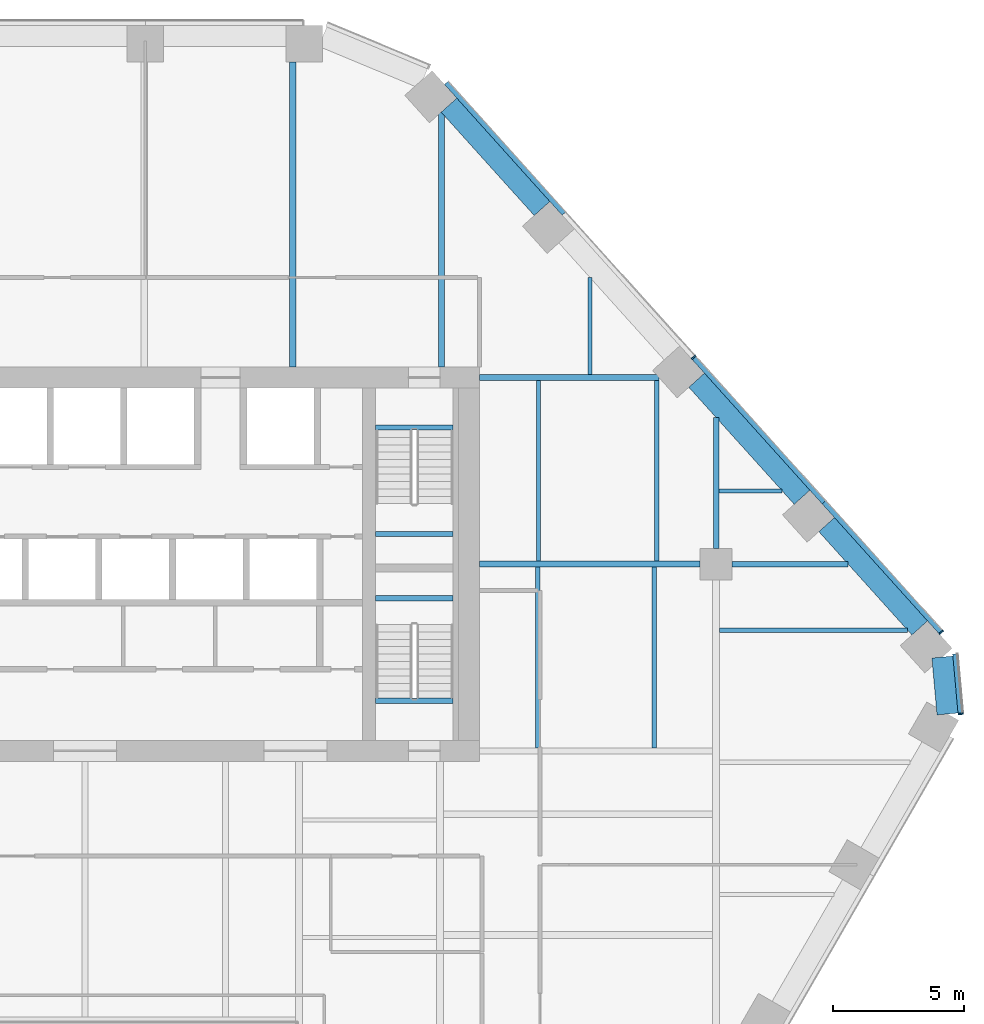
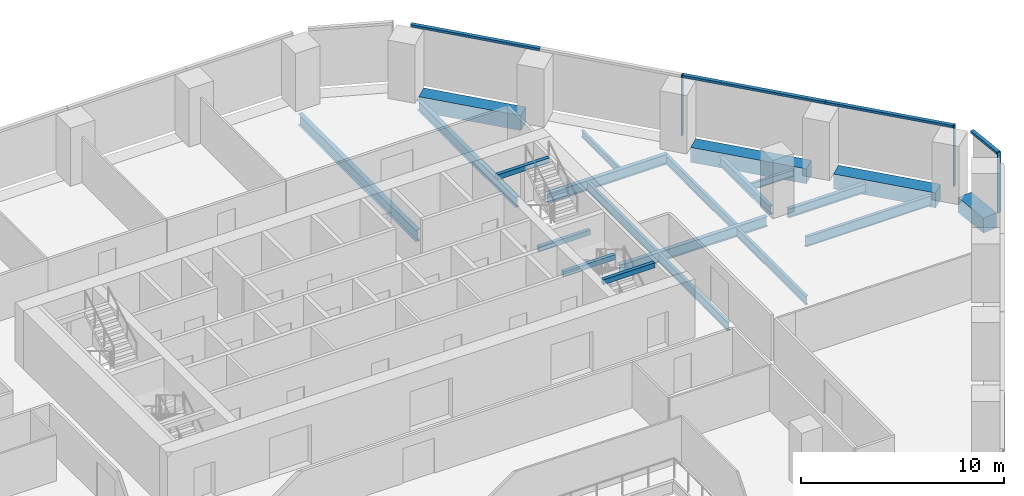
# One storey, part 8 of 16: 21 beams, 7 members, 2 elements without a shape of their own.
"""IFC4 building model written with IfcOpenShell, lengths in metres."""

from ifc_helpers import new_model, si_unit, direction, frame, origin, origin_2d, place, context, subcontext, project, spatial, rectangle, i_section, extrude, material, layer, layer_set, material_profile, profile_set, type_object, element, aggregate, save


model = new_model("IFC4")

# Units and contexts
model_context = context("Model", 3, precision=1e-05, world=origin(), true_north=direction((0.0, 1.0)))
body_context = subcontext(model_context, "Body", "Model", "MODEL_VIEW")
ifc_project = project(units=[si_unit("LENGTHUNIT", "METRE"), si_unit("AREAUNIT", "SQUARE_METRE"), si_unit("VOLUMEUNIT", "CUBIC_METRE"), si_unit("PLANEANGLEUNIT", "RADIAN"), si_unit("MASSUNIT", "GRAM", prefix="KILO")], contexts=[model_context])

# Site, building, storey
site_placement = place(None, origin())
site = spatial("IfcSite", under=ifc_project, at=site_placement, CompositionType="ELEMENT")
building_placement = place(site_placement, origin())
building = spatial("IfcBuilding", under=site, at=building_placement, Name="Isthmus Gate Tower", CompositionType="ELEMENT")
storey_placement = place(building_placement, frame((0.0, 0.0, 151.699951171875)))
storey = spatial("IfcBuildingStorey", under=building, at=storey_placement, Name="L37", CompositionType="ELEMENT", Elevation=151.699951171875)

# Curtain wall, member
ifc_material_1 = material(Name="Aluminium, pale champagne anodised", Category="aluminium")
ifc_layer = layer(ifc_material_1, 0.199951171875)
ifc_layer_set = layer_set([ifc_layer], Name="CW-1 UNITISED CURTAIN WALL 200 DEEP")
curtain_wall_type = type_object("IfcCurtainWallType", Name="CW-1 UNITISED CURTAIN WALL 200 DEEP", PredefinedType="NOTDEFINED", material=ifc_layer_set)
curtain_wall_1_placement = place(storey_placement, origin())
curtain_wall_1 = element("IfcCurtainWall", 1, at=curtain_wall_1_placement, inside=storey, type_object=curtain_wall_type, Name="CW-1 SE-NE L37", PredefinedType="NOTDEFINED")
ifc_material_2 = material(Name="Aluminium, pale champagne anodised", Category="aluminium")
ifc_material_profile_1 = material_profile(ifc_material_2, rectangle(XDim=0.06005859375, YDim=0.199951171875, at=origin_2d()), Name="60x200")
ifc_profile_set_1 = profile_set([ifc_material_profile_1], Name="Aluminium, pale champagne anodised")
member_type_1 = type_object("IfcMemberType", Name="CW-1 MULLION 60 X 200", PredefinedType="MULLION", material=ifc_profile_set_1)
member_1_placement = place(storey_placement, frame((33.307861328125, 1.804443359375, 0.0), z_axis=(0.0, 0.0, 1.0), x_axis=(-0.089396669717, 0.995996102123, 0.0)))
member_1 = element("IfcMember", 2, at=member_1_placement, type_object=member_type_1, Name="CW-1 mullion", PredefinedType="MULLION", context=body_context, shape_type="SweptSolid", body=[
    extrude(rectangle(XDim=0.06005859375, YDim=0.199951171875, at=origin_2d()), origin(), (0.0, 0.0, 1.0), 3.650146484375),
])

# Curtain wall, members
curtain_wall_2_placement = place(storey_placement, origin())
curtain_wall_2 = element("IfcCurtainWall", 3, at=curtain_wall_2_placement, inside=storey, type_object=curtain_wall_type, Name="CW-1 NE L37", PredefinedType="NOTDEFINED")
member_2_placement = place(storey_placement, frame((32.5693359375, 4.908447265625, 0.0), z_axis=(0.0, 0.0, 1.0), x_axis=(-0.669130606359, 0.743144825477, 0.0)))
member_2 = element("IfcMember", 4, at=member_2_placement, type_object=member_type_1, Name="CW-1 mullion", PredefinedType="MULLION", context=body_context, shape_type="SweptSolid", body=[
    extrude(rectangle(XDim=0.06005859375, YDim=0.199951171875, at=origin_2d()), origin(), (0.0, 0.0, 1.0), 3.650146484375),
])
member_3_placement = place(storey_placement, frame((23.14697265625, 15.373046875, 0.0), z_axis=(0.0, 0.0, 1.0), x_axis=(-0.669130606359, 0.743144825477, 0.0)))
member_3 = element("IfcMember", 5, at=member_3_placement, type_object=member_type_1, Name="CW-1 mullion", PredefinedType="MULLION", context=body_context, shape_type="SweptSolid", body=[
    extrude(rectangle(XDim=0.06005859375, YDim=0.199951171875, at=origin_2d()), origin(), (0.0, 0.0, 1.0), 3.650146484375),
])

# Member
ifc_material_3 = material(Name="Aluminium, pale champagne anodised", Category="aluminium")
ifc_material_profile_2 = material_profile(ifc_material_3, rectangle(XDim=0.199951171875, YDim=0.139892578125, at=origin_2d()), Name="200x140")
ifc_profile_set_2 = profile_set([ifc_material_profile_2], Name="Aluminium, pale champagne anodised")
member_type_2 = type_object("IfcMemberType", Name="CW-1 TRANSOM 200 X 140", PredefinedType="USERDEFINED", material=ifc_profile_set_2)
member_4_placement = place(storey_placement, frame((33.30517578125, 1.83447265625, 3.580078125), z_axis=(-0.089395362867, 0.995996219419, 0.0), x_axis=(-0.995996219419, -0.089395362867, 0.0)))
member_4 = element("IfcMember", 6, at=member_4_placement, type_object=member_type_2, Name="CW-1 transom", ObjectType="TRANSOM", PredefinedType="USERDEFINED", context=body_context, shape_type="SweptSolid", body=[
    extrude(rectangle(XDim=0.199951171875, YDim=0.139892578125, at=origin_2d()), origin(), (0.0, 0.0, 1.0), 2.258544921875),
])

aggregate(curtain_wall_1, [member_1, member_4])

member_5_placement = place(storey_placement, frame((32.54931640625, 4.930908203125, 3.580078125), z_axis=(-0.669153891975, 0.743123858354, 0.0), x_axis=(-0.743123858354, -0.669153891975, 0.0)))
member_5 = element("IfcMember", 7, at=member_5_placement, type_object=member_type_2, Name="CW-1 transom", ObjectType="TRANSOM", PredefinedType="USERDEFINED", context=body_context, shape_type="SweptSolid", body=[
    extrude(rectangle(XDim=0.199951171875, YDim=0.139892578125, at=origin_2d()), origin(), (0.0, 0.0, 1.0), 6.630859375),
])

member_6_placement = place(storey_placement, frame((28.1123046875, 9.8583984375, 3.580078125), z_axis=(-0.669123495435, 0.74315122812, 0.0), x_axis=(-0.74315122812, -0.669123495435, 0.0)))
member_6 = element("IfcMember", 8, at=member_6_placement, type_object=member_type_2, Name="CW-1 transom", ObjectType="TRANSOM", PredefinedType="USERDEFINED", context=body_context, shape_type="SweptSolid", body=[
    extrude(rectangle(XDim=0.199951171875, YDim=0.139892578125, at=origin_2d()), origin(), (0.0, 0.0, 1.0), 7.390625),
])

member_7_placement = place(storey_placement, frame((18.221435546875, 20.84326171875, 3.580078125), z_axis=(-0.669117935274, 0.743156234378, 0.0), x_axis=(-0.743156234378, -0.669117935274, 0.0)))
member_7 = element("IfcMember", 9, at=member_7_placement, type_object=member_type_2, Name="CW-1 transom", ObjectType="TRANSOM", PredefinedType="USERDEFINED", context=body_context, shape_type="SweptSolid", body=[
    extrude(rectangle(XDim=0.199951171875, YDim=0.139892578125, at=origin_2d()), origin(), (0.0, 0.0, 1.0), 6.690673828125),
])

aggregate(curtain_wall_2, [member_2, member_5, member_6, member_3, member_7])

# Beams
ifc_material_4 = material(Name="Concrete f'c 60 MPa", Category="concrete")
ifc_material_profile_3 = material_profile(ifc_material_4, rectangle(XDim=0.800048828125, YDim=0.89990234375, at=origin_2d()), Name="RC 800X900")
ifc_profile_set_3 = profile_set([ifc_material_profile_3], Name="Concrete f'c 60 MPa")
beam_type_1 = type_object("IfcBeamType", Name="RC SPANDREL 800 X 900", PredefinedType="SPANDREL", material=ifc_profile_set_3)
beam_1_placement = place(storey_placement, frame((13.84130859375, 24.960693359375, -0.449951171875), z_axis=(0.669153370522, -0.743124327901, 0.0), x_axis=(0.743124327901, 0.669153370522, 0.0)))
element("IfcBeam", 10, at=beam_1_placement, inside=storey, type_object=beam_type_1, Name="str-spandrel-L37-01", PredefinedType="SPANDREL", context=body_context, shape_type="SweptSolid", body=[
    extrude(rectangle(XDim=0.800048828125, YDim=0.89990234375, at=origin_2d()), origin(), (0.0, 0.0, 1.0), 5.290771484375),
])
beam_2_placement = place(storey_placement, frame((23.263671875, 14.49609375, -0.449951171875), z_axis=(0.669156088603, -0.74312188037, 0.0), x_axis=(0.74312188037, 0.669156088603, 0.0)))
element("IfcBeam", 11, at=beam_2_placement, inside=storey, type_object=beam_type_1, Name="str-spandrel-L37-03", PredefinedType="SPANDREL", context=body_context, shape_type="SweptSolid", body=[
    extrude(rectangle(XDim=0.800048828125, YDim=0.89990234375, at=origin_2d()), origin(), (0.0, 0.0, 1.0), 5.99072265625),
])
beam_3_placement = place(storey_placement, frame((28.209228515625, 9.003662109375, -0.449951171875), z_axis=(0.669130424574, -0.743144989157, 0.0), x_axis=(0.743144989157, 0.669130424574, 0.0)))
element("IfcBeam", 12, at=beam_3_placement, inside=storey, type_object=beam_type_1, Name="str-spandrel-L37-04", PredefinedType="SPANDREL", context=body_context, shape_type="SweptSolid", body=[
    extrude(rectangle(XDim=0.800048828125, YDim=0.89990234375, at=origin_2d()), origin(), (0.0, 0.0, 1.0), 5.290771484375),
])
beam_4_placement = place(storey_placement, frame((32.61181640625, 3.964599609375, -0.449951171875), z_axis=(0.089421511639, -0.995993872098, 0.0), x_axis=(0.995993872098, 0.089421511639, 0.0)))
element("IfcBeam", 13, at=beam_4_placement, inside=storey, type_object=beam_type_1, Name="str-spandrel-L37-05", PredefinedType="SPANDREL", context=body_context, shape_type="SweptSolid", body=[
    extrude(rectangle(XDim=0.800048828125, YDim=0.89990234375, at=origin_2d()), origin(), (0.0, 0.0, 1.0), 2.17333984375),
])
ifc_material_5 = material(Name="Concrete f'c 40 MPa", Category="concrete")
ifc_material_profile_4 = material_profile(ifc_material_5, rectangle(XDim=0.199951171875, YDim=0.300048828125, at=origin_2d()), Name="STAIR LANDING BEAM RC 200 X 300")
ifc_profile_set_4 = profile_set([ifc_material_profile_4], Name="Concrete f'c 40 MPa")
beam_type_2 = type_object("IfcBeamType", Name="STAIR LANDING BEAM RC 200 X 300", PredefinedType="BEAM", material=ifc_profile_set_4)
for number, where, z_axis, x_axis, name in (
    (14, (11.050048828125, 8.64990234375, 1.47509765625), (1.0, 0.0, 0.0), (0.0, 1.0, 0.0), "L37 ST2 landing beam 1"),
    (15, (11.050048828125, 12.7001953125, 3.35009765625), (1.0, 0.0, 0.0), (0.0, 1.0, 0.0), "L37 ST2 floor-edge seat beam"),
    (16, (11.050048828125, 6.199951171875, 1.47509765625), (1.0, 0.0, 0.0), (0.0, 1.0, 0.0), "L37 ST8 landing beam 1"),
    (17, (11.050048828125, 2.2998046875, 3.35009765625), (1.0, 0.0, 0.0), (0.0, 1.0, 0.0), "L37 ST8 floor-edge seat beam"),
):
    element("IfcBeam", number, at=place(storey_placement, frame(where, z_axis=z_axis, x_axis=x_axis)), inside=storey, type_object=beam_type_2, Name=name, PredefinedType="BEAM", context=body_context, shape_type="SweptSolid", body=[
        extrude(rectangle(XDim=0.199951171875, YDim=0.300048828125, at=origin_2d()), origin(), (0.0, 0.0, 1.0), 2.949951171875),
    ])
ifc_material_6 = material(Name="Structural steel ASTM A992 Gr 50", Category="steel")
ifc_material_profile_5 = material_profile(ifc_material_6, i_section(OverallWidth=0.1396484375, OverallDepth=0.4033203125, WebThickness=0.00634765625, FlangeThickness=0.010986328125, at=origin_2d()), Name="W16X31")
ifc_profile_set_5 = profile_set([ifc_material_profile_5], Name="Structural steel ASTM A992 Gr 50")
beam_type_3 = type_object("IfcBeamType", Name="STEEL FLOOR BEAM W16X31", PredefinedType="JOIST", material=ifc_profile_set_5)
beam_5_placement = place(storey_placement, frame((19.204345703125, 14.71435546875, -0.3515625), z_axis=(0.0, 1.0, 0.0), x_axis=(-1.0, 0.0, 0.0)))
element("IfcBeam", 18, at=beam_5_placement, inside=storey, type_object=beam_type_3, Name="str-beam-L37-05-07", PredefinedType="JOIST", context=body_context, shape_type="SweptSolid", body=[
    extrude(i_section(OverallWidth=0.1396484375, OverallDepth=0.4033203125, WebThickness=0.00634765625, FlangeThickness=0.010986328125, at=origin_2d()), origin(), (0.0, 0.0, 1.0), 3.6923828125),
])
beam_6_placement = place(storey_placement, frame((24.104736328125, 10.284423828125, -0.3515625), z_axis=(1.0, 0.0, 0.0), x_axis=(0.0, 1.0, 0.0)))
element("IfcBeam", 19, at=beam_6_placement, inside=storey, type_object=beam_type_3, Name="str-beam-L37-15-00", PredefinedType="JOIST", context=body_context, shape_type="SweptSolid", body=[
    extrude(i_section(OverallWidth=0.1396484375, OverallDepth=0.4033203125, WebThickness=0.00634765625, FlangeThickness=0.010986328125, at=origin_2d()), origin(), (0.0, 0.0, 1.0), 2.412841796875),
])
ifc_material_7 = material(Name="Structural steel ASTM A992 Gr 50", Category="steel")
ifc_material_profile_6 = material_profile(ifc_material_7, i_section(OverallWidth=0.1650390625, OverallDepth=0.52392578125, WebThickness=0.009521484375, FlangeThickness=0.010986328125, at=origin_2d()), Name="W21X44")
ifc_profile_set_6 = profile_set([ifc_material_profile_6], Name="Structural steel ASTM A992 Gr 50")
beam_type_4 = type_object("IfcBeamType", Name="STEEL FLOOR BEAM W21X44", PredefinedType="JOIST", material=ifc_profile_set_6)
for number, where, z_axis, x_axis, name in (
    (20, (17.25, 7.6142578125, -0.411865234375), (0.0, 1.0, 0.0), (-1.0, 0.0, 0.0), "str-beam-L37-13-00"),
    (21, (21.75, 7.6142578125, -0.411865234375), (0.0, 1.0, 0.0), (-1.0, 0.0, 0.0), "str-beam-L37-13-01"),
    (22, (17.216552734375, 0.514404296875, -0.411865234375), (0.0, 1.0, 0.0), (-1.0, 0.0, 0.0), "str-beam-L37-14-00"),
    (23, (21.64990234375, 0.514404296875, -0.411865234375), (0.0, 1.0, 0.0), (-1.0, 0.0, 0.0), "str-beam-L37-14-01"),
):
    element("IfcBeam", number, at=place(storey_placement, frame(where, z_axis=z_axis, x_axis=x_axis)), inside=storey, type_object=beam_type_4, Name=name, PredefinedType="JOIST", context=body_context, shape_type="SweptSolid", body=[
        extrude(i_section(OverallWidth=0.1650390625, OverallDepth=0.52392578125, WebThickness=0.009521484375, FlangeThickness=0.010986328125, at=origin_2d()), origin(), (0.0, 0.0, 1.0), 6.871337890625),
    ])
ifc_material_8 = material(Name="Structural steel ASTM A992 Gr 50", Category="steel")
ifc_material_profile_7 = material_profile(ifc_material_8, i_section(OverallWidth=0.177734375, OverallDepth=0.60009765625, WebThickness=0.009521484375, FlangeThickness=0.0126953125, at=origin_2d()), Name="W24X55")
ifc_profile_set_7 = profile_set([ifc_material_profile_7], Name="Structural steel ASTM A992 Gr 50")
beam_type_5 = type_object("IfcBeamType", Name="STEEL FLOOR BEAM W24X55", PredefinedType="JOIST", material=ifc_profile_set_7)
beam_7_placement = place(storey_placement, frame((24.13330078125, 4.987548828125, -0.449951171875), z_axis=(1.0, 0.0, 0.0), x_axis=(0.0, 1.0, 0.0)))
element("IfcBeam", 24, at=beam_7_placement, inside=storey, type_object=beam_type_5, Name="str-beam-L37-16-02", PredefinedType="JOIST", context=body_context, shape_type="SweptSolid", body=[
    extrude(i_section(OverallWidth=0.177734375, OverallDepth=0.60009765625, WebThickness=0.009521484375, FlangeThickness=0.0126953125, at=origin_2d()), origin(), (0.0, 0.0, 1.0), 7.15380859375),
])
ifc_material_9 = material(Name="Structural steel ASTM A992 Gr 50", Category="steel")
ifc_material_profile_8 = material_profile(ifc_material_9, i_section(OverallWidth=0.228515625, OverallDepth=0.603271484375, WebThickness=0.010986328125, FlangeThickness=0.014404296875, at=origin_2d()), Name="W24X68")
ifc_profile_set_8 = profile_set([ifc_material_profile_8], Name="Structural steel ASTM A992 Gr 50")
beam_type_6 = type_object("IfcBeamType", Name="STEEL FLOOR BEAM W24X68", PredefinedType="JOIST", material=ifc_profile_set_8)
beam_8_placement = place(storey_placement, frame((13.5537109375, 15.0, -0.45166015625), z_axis=(0.0, 1.0, 0.0), x_axis=(-1.0, 0.0, 0.0)))
element("IfcBeam", 25, at=beam_8_placement, inside=storey, type_object=beam_type_6, Name="str-beam-L37-05-06", PredefinedType="JOIST", context=body_context, shape_type="SweptSolid", body=[
    extrude(i_section(OverallWidth=0.228515625, OverallDepth=0.603271484375, WebThickness=0.010986328125, FlangeThickness=0.014404296875, at=origin_2d()), origin(), (0.0, 0.0, 1.0), 9.682373046875),
])
ifc_material_10 = material(Name="Structural steel ASTM A992 Gr 50", Category="steel")
ifc_material_profile_9 = material_profile(ifc_material_10, i_section(OverallWidth=0.25390625, OverallDepth=0.679443359375, WebThickness=0.010986328125, FlangeThickness=0.015869140625, at=origin_2d()), Name="W27X84")
ifc_profile_set_9 = profile_set([ifc_material_profile_9], Name="Structural steel ASTM A992 Gr 50")
beam_type_7 = type_object("IfcBeamType", Name="STEEL FLOOR BEAM W27X84", PredefinedType="JOIST", material=ifc_profile_set_9)
beam_9_placement = place(storey_placement, frame((7.903076171875, 15.0, -0.48974609375), z_axis=(0.0, 1.0, 0.0), x_axis=(-1.0, 0.0, 0.0)))
element("IfcBeam", 26, at=beam_9_placement, inside=storey, type_object=beam_type_7, Name="str-beam-L37-05-05", PredefinedType="JOIST", context=body_context, shape_type="SweptSolid", body=[
    extrude(i_section(OverallWidth=0.25390625, OverallDepth=0.679443359375, WebThickness=0.010986328125, FlangeThickness=0.015869140625, at=origin_2d()), origin(), (0.0, 0.0, 1.0), 11.60009765625),
])
ifc_material_11 = material(Name="Structural steel ASTM A992 Gr 50", Category="steel")
ifc_material_profile_10 = material_profile(ifc_material_11, i_section(OverallWidth=0.20947265625, OverallDepth=0.533447265625, WebThickness=0.009521484375, FlangeThickness=0.015869140625, at=origin_2d()), Name="W21X62")
ifc_profile_set_10 = profile_set([ifc_material_profile_10], Name="Structural steel ASTM A992 Gr 50")
beam_type_8 = type_object("IfcBeamType", Name="STEEL GIRDER W21X62", PredefinedType="BEAM", material=ifc_profile_set_10)
beam_10_placement = place(storey_placement, frame((24.60009765625, 7.5, -0.416748046875), z_axis=(1.0, 0.0, 0.0), x_axis=(0.0, 1.0, 0.0)))
element("IfcBeam", 27, at=beam_10_placement, inside=storey, type_object=beam_type_8, Name="str-girder-L37-06", PredefinedType="BEAM", context=body_context, shape_type="SweptSolid", body=[
    extrude(i_section(OverallWidth=0.20947265625, OverallDepth=0.533447265625, WebThickness=0.009521484375, FlangeThickness=0.015869140625, at=origin_2d()), origin(), (0.0, 0.0, 1.0), 4.4248046875),
])
beam_11_placement = place(storey_placement, frame((24.0, 8.10009765625, -0.416748046875), z_axis=(0.0, 1.0, 0.0), x_axis=(-1.0, 0.0, 0.0)))
element("IfcBeam", 28, at=beam_11_placement, inside=storey, type_object=beam_type_8, Name="str-girder-L37-12", PredefinedType="BEAM", context=body_context, shape_type="SweptSolid", body=[
    extrude(i_section(OverallWidth=0.20947265625, OverallDepth=0.533447265625, WebThickness=0.009521484375, FlangeThickness=0.015869140625, at=origin_2d()), origin(), (0.0, 0.0, 1.0), 4.98046875),
])
ifc_material_12 = material(Name="Structural steel ASTM A992 Gr 50", Category="steel")
ifc_material_profile_11 = material_profile(ifc_material_12, i_section(OverallWidth=0.228515625, OverallDepth=0.603271484375, WebThickness=0.010986328125, FlangeThickness=0.014404296875, at=origin_2d()), Name="W24X68")
ifc_profile_set_11 = profile_set([ifc_material_profile_11], Name="Structural steel ASTM A992 Gr 50")
beam_type_9 = type_object("IfcBeamType", Name="STEEL GIRDER W24X68", PredefinedType="BEAM", material=ifc_profile_set_11)
beam_12_placement = place(storey_placement, frame((15.0, 14.60009765625, -0.45166015625), z_axis=(1.0, 0.0, 0.0), x_axis=(0.0, 1.0, 0.0)))
element("IfcBeam", 29, at=beam_12_placement, inside=storey, type_object=beam_type_9, Name="str-girder-L37-16", PredefinedType="BEAM", context=body_context, shape_type="SweptSolid", body=[
    extrude(i_section(OverallWidth=0.228515625, OverallDepth=0.603271484375, WebThickness=0.010986328125, FlangeThickness=0.014404296875, at=origin_2d()), origin(), (0.0, 0.0, 1.0), 6.824462890625),
])
ifc_material_13 = material(Name="Structural steel ASTM A992 Gr 50", Category="steel")
ifc_material_profile_12 = material_profile(ifc_material_13, i_section(OverallWidth=0.228515625, OverallDepth=0.6064453125, WebThickness=0.010986328125, FlangeThickness=0.017578125, at=origin_2d()), Name="W24X76")
ifc_profile_set_12 = profile_set([ifc_material_profile_12], Name="Structural steel ASTM A992 Gr 50")
beam_type_10 = type_object("IfcBeamType", Name="STEEL GIRDER W24X76", PredefinedType="BEAM", material=ifc_profile_set_12)
beam_13_placement = place(storey_placement, frame((15.0, 7.5, -0.453125), z_axis=(1.0, 0.0, 0.0), x_axis=(0.0, 1.0, 0.0)))
element("IfcBeam", 30, at=beam_13_placement, inside=storey, type_object=beam_type_10, Name="str-girder-L37-05", PredefinedType="BEAM", context=body_context, shape_type="SweptSolid", body=[
    extrude(i_section(OverallWidth=0.228515625, OverallDepth=0.6064453125, WebThickness=0.010986328125, FlangeThickness=0.017578125, at=origin_2d()), origin(), (0.0, 0.0, 1.0), 8.39990234375),
])

save(model, "model.ifc")
